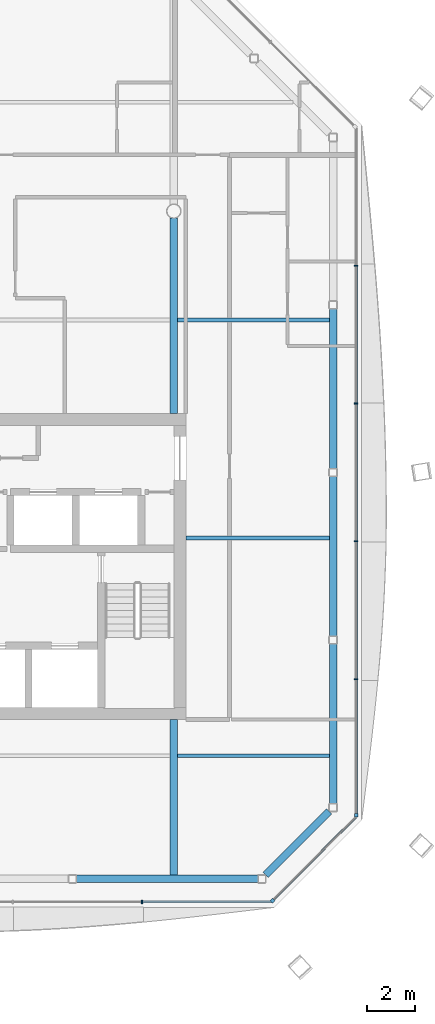
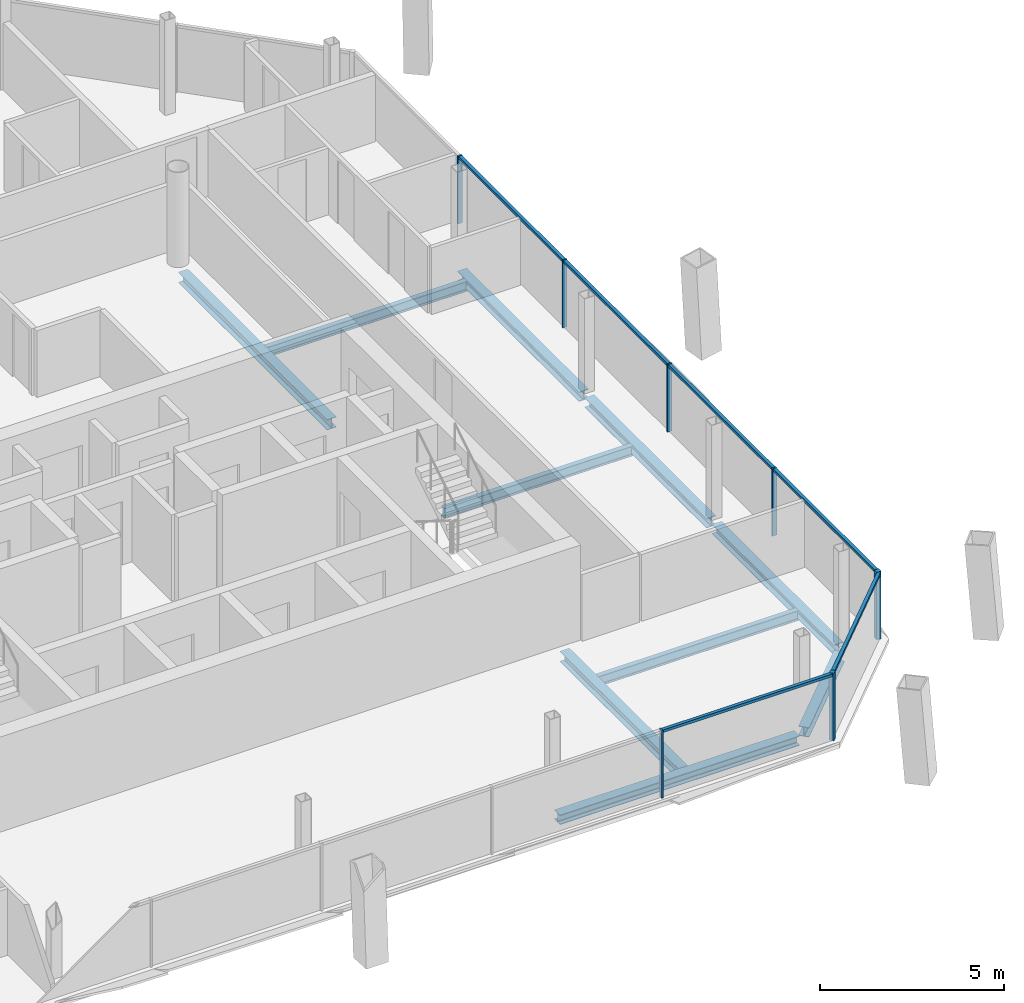
# One storey, part 7 of 19: 13 members, 10 beams, 3 elements without a shape of their own.
"""IFC4 building model written with IfcOpenShell, lengths in metres."""

from ifc_helpers import new_model, si_unit, direction, frame, origin, origin_2d, place, context, subcontext, project, spatial, rectangle, i_section, extrude, material, material_profile, profile_set, type_object, element, aggregate, save


model = new_model("IFC4")

# Units and contexts
model_context = context("Model", 3, precision=1e-05, world=origin(), true_north=direction((0.0, 1.0)))
body_context = subcontext(model_context, "Body", "Model", "MODEL_VIEW")
ifc_project = project(units=[si_unit("LENGTHUNIT", "METRE"), si_unit("AREAUNIT", "SQUARE_METRE"), si_unit("VOLUMEUNIT", "CUBIC_METRE"), si_unit("PLANEANGLEUNIT", "RADIAN"), si_unit("MASSUNIT", "GRAM", prefix="KILO")], contexts=[model_context])

# Site, building, storey
site_placement = place(None, origin())
site = spatial("IfcSite", under=ifc_project, at=site_placement, CompositionType="ELEMENT")
building_placement = place(site_placement, origin())
building = spatial("IfcBuilding", under=site, at=building_placement, Name="Tskaro Facet Tower", CompositionType="ELEMENT")
storey_placement = place(building_placement, frame((0.0, 0.0, 206.85009765625)))
storey = spatial("IfcBuildingStorey", under=building, at=storey_placement, Name="L53", CompositionType="ELEMENT", Elevation=206.85009765625)

# Curtain wall, member
ifc_material_1 = material(Name="Bronze anodised aluminium 6063-T6", Category="aluminium")
curtain_wall_type = type_object("IfcCurtainWallType", Name="Bronze residence curtain wall (FW3)", PredefinedType="NOTDEFINED", material=ifc_material_1)
curtain_wall_1_placement = place(storey_placement, origin())
curtain_wall_1 = element("IfcCurtainWall", 1, at=curtain_wall_1_placement, inside=storey, type_object=curtain_wall_type, Name="FW3 south-east facet L53", PredefinedType="NOTDEFINED")
ifc_material_profile_1 = material_profile(ifc_material_1, rectangle(XDim=0.139892578125, YDim=0.139892578125, at=origin_2d()), Name="Corner post 140x140")
ifc_profile_set_1 = profile_set([ifc_material_profile_1], Name="Bronze anodised aluminium 6063-T6")
member_type_1 = type_object("IfcMemberType", Name="FW3 bronze corner post 140x140", PredefinedType="MULLION", material=ifc_profile_set_1)
member_1_placement = place(storey_placement, frame((13.075439453125, -19.4833984375, 0.0), z_axis=(0.0, 0.0, 1.0), x_axis=(0.707106781187, 0.707106781187, 0.0)))
member_1 = element("IfcMember", 2, at=member_1_placement, type_object=member_type_1, Name="FW3 south-east corner post", PredefinedType="MULLION", context=body_context, shape_type="SweptSolid", body=[
    extrude(rectangle(XDim=0.139892578125, YDim=0.139892578125, at=origin_2d()), origin(), (0.0, 0.0, 1.0), 2.239990234375),
])

curtain_wall_2_placement = place(storey_placement, origin())
curtain_wall_2 = element("IfcCurtainWall", 3, at=curtain_wall_2_placement, inside=storey, type_object=curtain_wall_type, Name="FW3 east facet L53", PredefinedType="NOTDEFINED")
member_2_placement = place(storey_placement, frame((16.532958984375, -15.9560546875, 0.0), z_axis=(0.0, 0.0, 1.0), x_axis=(0.0, 1.0, 0.0)))
member_2 = element("IfcMember", 4, at=member_2_placement, type_object=member_type_1, Name="FW3 east corner post", PredefinedType="MULLION", context=body_context, shape_type="SweptSolid", body=[
    extrude(rectangle(XDim=0.139892578125, YDim=0.139892578125, at=origin_2d()), origin(), (0.0, 0.0, 1.0), 2.239990234375),
])

curtain_wall_3_placement = place(storey_placement, origin())
curtain_wall_3 = element("IfcCurtainWall", 5, at=curtain_wall_3_placement, inside=storey, type_object=curtain_wall_type, Name="FW3 south facet L53", PredefinedType="NOTDEFINED")
ifc_material_profile_2 = material_profile(ifc_material_1, rectangle(XDim=0.050048828125, YDim=0.139892578125, at=origin_2d()), Name="Mullion 50x140")
ifc_profile_set_2 = profile_set([ifc_material_profile_2], Name="Bronze anodised aluminium 6063-T6")
member_type_2 = type_object("IfcMemberType", Name="FW3 bronze mullion 50x140", PredefinedType="MULLION", material=ifc_profile_set_2)
member_3_placement = place(storey_placement, frame((7.68408203125, -19.532958984375, 0.0), z_axis=(0.0, 0.0, 1.0), x_axis=(1.0, 0.0, 0.0)))
member_3 = element("IfcMember", 6, at=member_3_placement, type_object=member_type_2, Name="FW3 south mullion 5", PredefinedType="MULLION", context=body_context, shape_type="SweptSolid", body=[
    extrude(rectangle(XDim=0.050048828125, YDim=0.139892578125, at=origin_2d()), origin(), (0.0, 0.0, 1.0), 2.239990234375),
])

# Member
member_4_placement = place(storey_placement, frame((16.532958984375, -10.3330078125, 0.0), z_axis=(0.0, 0.0, 1.0), x_axis=(0.0, 1.0, 0.0)))
member_4 = element("IfcMember", 7, at=member_4_placement, type_object=member_type_2, Name="FW3 east mullion 1", PredefinedType="MULLION", context=body_context, shape_type="SweptSolid", body=[
    extrude(rectangle(XDim=0.050048828125, YDim=0.139892578125, at=origin_2d()), origin(), (0.0, 0.0, 1.0), 2.239990234375),
])

member_5_placement = place(storey_placement, frame((16.532958984375, -4.639892578125, 0.0), z_axis=(0.0, 0.0, 1.0), x_axis=(0.0, 1.0, 0.0)))
member_5 = element("IfcMember", 8, at=member_5_placement, type_object=member_type_2, Name="FW3 east mullion 2", PredefinedType="MULLION", context=body_context, shape_type="SweptSolid", body=[
    extrude(rectangle(XDim=0.050048828125, YDim=0.139892578125, at=origin_2d()), origin(), (0.0, 0.0, 1.0), 2.239990234375),
])

member_6_placement = place(storey_placement, frame((16.532958984375, 1.052978515625, 0.0), z_axis=(0.0, 0.0, 1.0), x_axis=(0.0, 1.0, 0.0)))
member_6 = element("IfcMember", 9, at=member_6_placement, type_object=member_type_2, Name="FW3 east mullion 3", PredefinedType="MULLION", context=body_context, shape_type="SweptSolid", body=[
    extrude(rectangle(XDim=0.050048828125, YDim=0.139892578125, at=origin_2d()), origin(), (0.0, 0.0, 1.0), 2.239990234375),
])

member_7_placement = place(storey_placement, frame((16.532958984375, 6.74609375, 0.0), z_axis=(0.0, 0.0, 1.0), x_axis=(0.0, 1.0, 0.0)))
member_7 = element("IfcMember", 10, at=member_7_placement, type_object=member_type_2, Name="FW3 east mullion 4", PredefinedType="MULLION", context=body_context, shape_type="SweptSolid", body=[
    extrude(rectangle(XDim=0.050048828125, YDim=0.139892578125, at=origin_2d()), origin(), (0.0, 0.0, 1.0), 2.239990234375),
])

ifc_material_profile_3 = material_profile(ifc_material_1, rectangle(XDim=0.10009765625, YDim=0.090087890625, at=origin_2d()), Name="Transom 100x90")
ifc_profile_set_3 = profile_set([ifc_material_profile_3], Name="Bronze anodised aluminium 6063-T6")
member_type_3 = type_object("IfcMemberType", Name="FW3 bronze transom 100x90", PredefinedType="USERDEFINED", material=ifc_profile_set_3)
member_8_placement = place(storey_placement, frame((7.708984375, -19.532958984375, 2.19482421875), z_axis=(1.0, 0.0, 0.0), x_axis=(0.0, 1.0, 0.0)))
member_8 = element("IfcMember", 11, at=member_8_placement, type_object=member_type_3, Name="FW3 south transom 6.1", ObjectType="TRANSOM", PredefinedType="USERDEFINED", context=body_context, shape_type="SweptSolid", body=[
    extrude(rectangle(XDim=0.10009765625, YDim=0.090087890625, at=origin_2d()), origin(), (0.0, 0.0, 1.0), 5.31689453125),
])

aggregate(curtain_wall_3, [member_3, member_8])

member_9_placement = place(storey_placement, frame((13.125, -19.43408203125, 2.19482421875), z_axis=(0.707081453652, 0.707132107814, 0.0), x_axis=(-0.707132107814, 0.707081453652, 0.0)))
member_9 = element("IfcMember", 12, at=member_9_placement, type_object=member_type_3, Name="FW3 south-east transom 1.1", ObjectType="TRANSOM", PredefinedType="USERDEFINED", context=body_context, shape_type="SweptSolid", body=[
    extrude(rectangle(XDim=0.10009765625, YDim=0.090087890625, at=origin_2d()), origin(), (0.0, 0.0, 1.0), 4.81982421875),
])

aggregate(curtain_wall_1, [member_1, member_9])

member_10_placement = place(storey_placement, frame((16.532958984375, -15.885986328125, 2.19482421875), z_axis=(0.0, 1.0, 0.0), x_axis=(-1.0, 0.0, 0.0)))
member_10 = element("IfcMember", 13, at=member_10_placement, type_object=member_type_3, Name="FW3 east transom 1.1", ObjectType="TRANSOM", PredefinedType="USERDEFINED", context=body_context, shape_type="SweptSolid", body=[
    extrude(rectangle(XDim=0.10009765625, YDim=0.090087890625, at=origin_2d()), origin(), (0.0, 0.0, 1.0), 5.528076171875),
])

member_11_placement = place(storey_placement, frame((16.532958984375, -10.30810546875, 2.19482421875), z_axis=(0.0, 1.0, 0.0), x_axis=(-1.0, 0.0, 0.0)))
member_11 = element("IfcMember", 14, at=member_11_placement, type_object=member_type_3, Name="FW3 east transom 2.1", ObjectType="TRANSOM", PredefinedType="USERDEFINED", context=body_context, shape_type="SweptSolid", body=[
    extrude(rectangle(XDim=0.10009765625, YDim=0.090087890625, at=origin_2d()), origin(), (0.0, 0.0, 1.0), 5.64306640625),
])

member_12_placement = place(storey_placement, frame((16.532958984375, -4.614990234375, 2.19482421875), z_axis=(0.0, 1.0, 0.0), x_axis=(-1.0, 0.0, 0.0)))
member_12 = element("IfcMember", 15, at=member_12_placement, type_object=member_type_3, Name="FW3 east transom 3.1", ObjectType="TRANSOM", PredefinedType="USERDEFINED", context=body_context, shape_type="SweptSolid", body=[
    extrude(rectangle(XDim=0.10009765625, YDim=0.090087890625, at=origin_2d()), origin(), (0.0, 0.0, 1.0), 5.64306640625),
])

member_13_placement = place(storey_placement, frame((16.532958984375, 1.077880859375, 2.19482421875), z_axis=(0.0, 1.0, 0.0), x_axis=(-1.0, 0.0, 0.0)))
member_13 = element("IfcMember", 16, at=member_13_placement, type_object=member_type_3, Name="FW3 east transom 4.1", ObjectType="TRANSOM", PredefinedType="USERDEFINED", context=body_context, shape_type="SweptSolid", body=[
    extrude(rectangle(XDim=0.10009765625, YDim=0.090087890625, at=origin_2d()), origin(), (0.0, 0.0, 1.0), 5.64306640625),
])

aggregate(curtain_wall_2, [member_2, member_4, member_5, member_6, member_7, member_10, member_11, member_12, member_13])

# Beams
ifc_material_2 = material(Name="Steel S355J2", Category="steel")
ifc_material_profile_4 = material_profile(ifc_material_2, i_section(OverallWidth=0.300048828125, OverallDepth=0.320068359375, WebThickness=0.011474609375, FlangeThickness=0.0205078125, FilletRadius=0.027099609375, at=origin_2d()), Name="HE 320 B")
ifc_profile_set_4 = profile_set([ifc_material_profile_4], Name="Steel S355J2")
beam_type_1 = type_object("IfcBeamType", Name="HE 320 B ring beam", PredefinedType="BEAM", material=ifc_profile_set_4)
beam_1_placement = place(storey_placement, frame((4.971923828125, -18.5830078125, -0.300048828125), z_axis=(1.0, 0.0, 0.0), x_axis=(0.0, 1.0, 0.0)))
element("IfcBeam", 17, at=beam_1_placement, inside=storey, type_object=beam_type_1, Name="HE 320 B EB4-4", PredefinedType="BEAM", context=body_context, shape_type="SweptSolid", body=[
    extrude(i_section(OverallWidth=0.300048828125, OverallDepth=0.320068359375, WebThickness=0.011474609375, FlangeThickness=0.0205078125, FilletRadius=0.027099609375, at=origin_2d()), origin(), (0.0, 0.0, 1.0), 7.506103515625),
])
beam_2_placement = place(storey_placement, frame((12.7939453125, -18.422119140625, -0.300048828125), z_axis=(0.707106781187, 0.707106781187, 0.0), x_axis=(-0.707106781187, 0.707106781187, 0.0)))
element("IfcBeam", 18, at=beam_2_placement, inside=storey, type_object=beam_type_1, Name="HE 320 B EB5-4", PredefinedType="BEAM", context=body_context, shape_type="SweptSolid", body=[
    extrude(i_section(OverallWidth=0.300048828125, OverallDepth=0.320068359375, WebThickness=0.011474609375, FlangeThickness=0.0205078125, FilletRadius=0.027099609375, at=origin_2d()), origin(), (0.0, 0.0, 1.0), 3.716796875),
])
for number, where, z_axis, x_axis, name in (
    (19, (15.5830078125, -15.47802734375, -0.300048828125), (0.0, 1.0, 0.0), (-1.0, 0.0, 0.0), "HE 320 B EB6-4"),
    (20, (15.5830078125, -8.55810546875, -0.300048828125), (0.0, 1.0, 0.0), (-1.0, 0.0, 0.0), "HE 320 B EB7-4"),
):
    element("IfcBeam", number, at=place(storey_placement, frame(where, z_axis=z_axis, x_axis=x_axis)), inside=storey, type_object=beam_type_1, Name=name, PredefinedType="BEAM", context=body_context, shape_type="SweptSolid", body=[
        extrude(i_section(OverallWidth=0.300048828125, OverallDepth=0.320068359375, WebThickness=0.011474609375, FlangeThickness=0.0205078125, FilletRadius=0.027099609375, at=origin_2d()), origin(), (0.0, 0.0, 1.0), 6.610107421875),
    ])
beam_3_placement = place(storey_placement, frame((15.5830078125, -1.637939453125, -0.300048828125), z_axis=(0.0, 1.0, 0.0), x_axis=(-1.0, 0.0, 0.0)))
element("IfcBeam", 21, at=beam_3_placement, inside=storey, type_object=beam_type_1, Name="HE 320 B EB8-4", PredefinedType="BEAM", context=body_context, shape_type="SweptSolid", body=[
    extrude(i_section(OverallWidth=0.300048828125, OverallDepth=0.320068359375, WebThickness=0.011474609375, FlangeThickness=0.0205078125, FilletRadius=0.027099609375, at=origin_2d()), origin(), (0.0, 0.0, 1.0), 6.60888671875),
])
ifc_material_profile_5 = material_profile(ifc_material_2, i_section(OverallWidth=0.300048828125, OverallDepth=0.35009765625, WebThickness=0.010009765625, FlangeThickness=0.017578125, FilletRadius=0.027099609375, at=origin_2d()), Name="HE 360 A")
ifc_profile_set_5 = profile_set([ifc_material_profile_5], Name="Steel S355J2")
beam_type_2 = type_object("IfcBeamType", Name="HE 360 A girder", PredefinedType="BEAM", material=ifc_profile_set_5)
beam_4_placement = place(storey_placement, frame((9.0, -18.43310546875, -0.315185546875), z_axis=(0.0, 1.0, 0.0), x_axis=(-1.0, 0.0, 0.0)))
element("IfcBeam", 22, at=beam_4_placement, inside=storey, type_object=beam_type_2, Name="HE 360 A GB5-1-4", PredefinedType="BEAM", context=body_context, shape_type="SweptSolid", body=[
    extrude(i_section(OverallWidth=0.300048828125, OverallDepth=0.35009765625, WebThickness=0.010009765625, FlangeThickness=0.017578125, FilletRadius=0.027099609375, at=origin_2d()), origin(), (0.0, 0.0, 1.0), 6.43310546875),
])
beam_5_placement = place(storey_placement, frame((9.0, 0.64990234375, -0.315185546875), z_axis=(0.0, 1.0, 0.0), x_axis=(-1.0, 0.0, 0.0)))
element("IfcBeam", 23, at=beam_5_placement, inside=storey, type_object=beam_type_2, Name="HE 360 A GB5-2-4", PredefinedType="BEAM", context=body_context, shape_type="SweptSolid", body=[
    extrude(i_section(OverallWidth=0.300048828125, OverallDepth=0.35009765625, WebThickness=0.010009765625, FlangeThickness=0.017578125, FilletRadius=0.027099609375, at=origin_2d()), origin(), (0.0, 0.0, 1.0), 8.0751953125),
])
ifc_material_profile_6 = material_profile(ifc_material_2, i_section(OverallWidth=0.159912109375, OverallDepth=0.330078125, WebThickness=0.007568359375, FlangeThickness=0.011474609375, FilletRadius=0.01806640625, at=origin_2d()), Name="IPE 330")
ifc_profile_set_6 = profile_set([ifc_material_profile_6], Name="Steel S355J2")
beam_type_3 = type_object("IfcBeamType", Name="IPE 330 secondary beam", PredefinedType="BEAM", material=ifc_profile_set_6)
beam_6_placement = place(storey_placement, frame((9.14990234375, -13.5, -0.30517578125), z_axis=(1.0, 0.0, 0.0), x_axis=(0.0, 1.0, 0.0)))
element("IfcBeam", 24, at=beam_6_placement, inside=storey, type_object=beam_type_3, Name="IPE 330 SB2a-5-4", PredefinedType="BEAM", context=body_context, shape_type="SweptSolid", body=[
    extrude(i_section(OverallWidth=0.159912109375, OverallDepth=0.330078125, WebThickness=0.007568359375, FlangeThickness=0.011474609375, FilletRadius=0.01806640625, at=origin_2d()), origin(), (0.0, 0.0, 1.0), 6.283203125),
])
beam_7_placement = place(storey_placement, frame((9.5, -4.5, -0.30517578125), z_axis=(1.0, 0.0, 0.0), x_axis=(0.0, 1.0, 0.0)))
element("IfcBeam", 25, at=beam_7_placement, inside=storey, type_object=beam_type_3, Name="IPE 330 SB3a-3-4", PredefinedType="BEAM", context=body_context, shape_type="SweptSolid", body=[
    extrude(i_section(OverallWidth=0.159912109375, OverallDepth=0.330078125, WebThickness=0.007568359375, FlangeThickness=0.011474609375, FilletRadius=0.01806640625, at=origin_2d()), origin(), (0.0, 0.0, 1.0), 5.93310546875),
])
beam_8_placement = place(storey_placement, frame((9.14990234375, 4.5, -0.30517578125), z_axis=(1.0, 0.0, 0.0), x_axis=(0.0, 1.0, 0.0)))
element("IfcBeam", 26, at=beam_8_placement, inside=storey, type_object=beam_type_3, Name="IPE 330 SB4a-5-4", PredefinedType="BEAM", context=body_context, shape_type="SweptSolid", body=[
    extrude(i_section(OverallWidth=0.159912109375, OverallDepth=0.330078125, WebThickness=0.007568359375, FlangeThickness=0.011474609375, FilletRadius=0.01806640625, at=origin_2d()), origin(), (0.0, 0.0, 1.0), 6.283203125),
])

save(model, "model.ifc")
